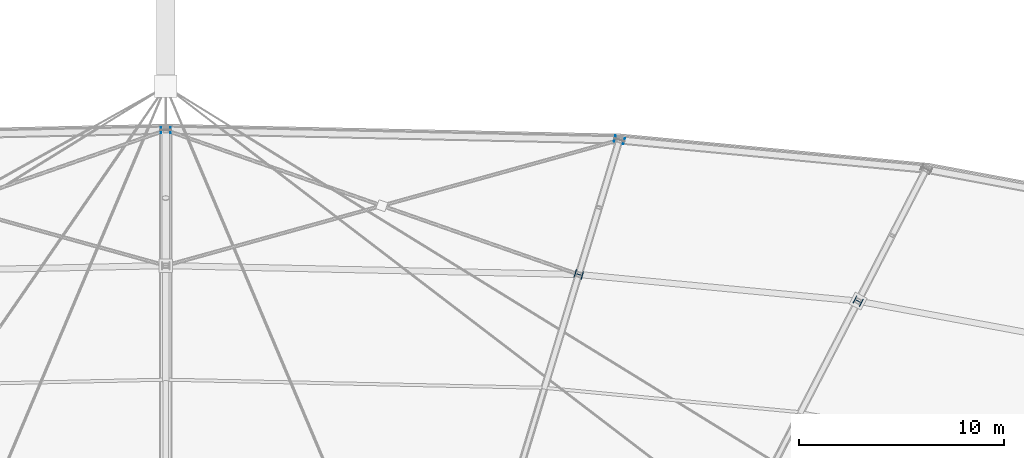
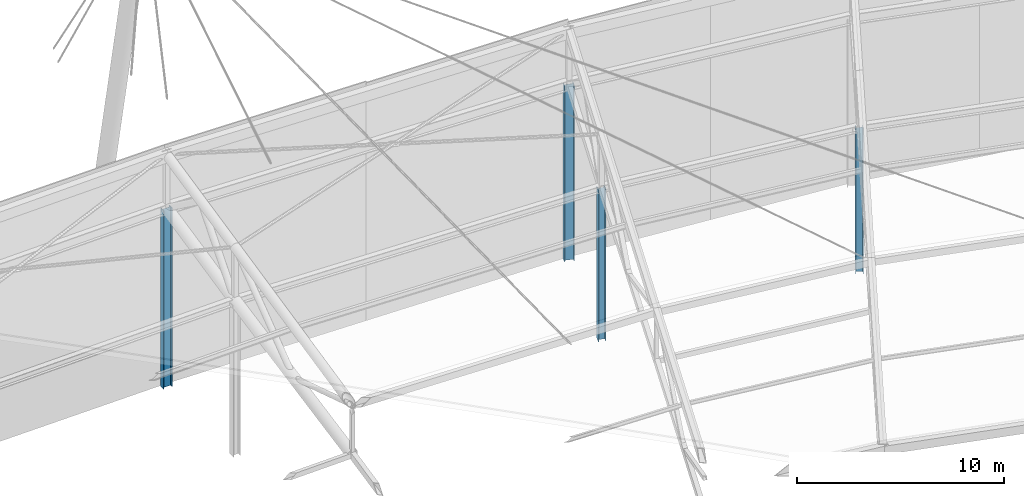
# One storey, part 12 of 143: 4 columns.
"""IFC4 building model written with IfcOpenShell, lengths in metres."""

from ifc_helpers import new_model, si_unit, direction, frame, origin, origin_2d, place, context, subcontext, project, spatial, i_section, extrude, material, material_profile, profile_set, type_object, element, save


model = new_model("IFC4")

# Units and contexts
model_context = context("Model", 3, precision=1e-05, world=origin(), true_north=direction((0.0, 1.0)))
body_context = subcontext(model_context, "Body", "Model", "MODEL_VIEW")
ifc_project = project(units=[si_unit("LENGTHUNIT", "METRE"), si_unit("AREAUNIT", "SQUARE_METRE"), si_unit("VOLUMEUNIT", "CUBIC_METRE"), si_unit("PLANEANGLEUNIT", "RADIAN"), si_unit("MASSUNIT", "GRAM", prefix="KILO")], contexts=[model_context])

# Site, building, storey
site_placement = place(None, origin())
site = spatial("IfcSite", under=ifc_project, at=site_placement, CompositionType="ELEMENT")
building_placement = place(site_placement, origin())
building = spatial("IfcBuilding", under=site, at=building_placement, Name="Mphavela Belvedere Stadium", CompositionType="ELEMENT")
storey_placement = place(building_placement, frame((0.0, 0.0, 28.800048828125)))
storey = spatial("IfcBuildingStorey", under=building, at=storey_placement, Name="RF", CompositionType="ELEMENT", Elevation=28.800048828125)

# Columns
ifc_material_1 = material(Name="Steel S355", Category="steel")
ifc_material_profile_1 = material_profile(ifc_material_1, i_section(OverallWidth=0.39501953125, OverallDepth=0.3798828125, WebThickness=0.0166015625, FlangeThickness=0.02587890625, at=origin_2d()), Name="HD 400x237")
ifc_profile_set_1 = profile_set([ifc_material_profile_1], Name="Steel S355")
column_type_1 = type_object("IfcColumnType", Name="COL-STEEL-HD400", PredefinedType="COLUMN", material=ifc_profile_set_1)
column_1_placement = place(storey_placement, frame((148.750244140625, 152.33544921875, 0.0), z_axis=(0.0, 0.0, 1.0), x_axis=(0.458959712465, 0.888457079624, 0.0)))
element("IfcColumn", 1, at=column_1_placement, inside=storey, type_object=column_type_1, Name="Roof truss inner support column RF R3-11", PredefinedType="COLUMN", context=body_context, shape_type="SweptSolid", body=[
    extrude(i_section(OverallWidth=0.39501953125, OverallDepth=0.3798828125, WebThickness=0.0166015625, FlangeThickness=0.02587890625, at=origin_2d()), origin(), (0.0, 0.0, 1.0), 8.485595703125),
])
column_2_placement = place(storey_placement, frame((135.1328125, 153.634033203125, 0.0), z_axis=(0.0, 0.0, 1.0), x_axis=(0.289198876314, 0.957269037387, 0.0)))
element("IfcColumn", 2, at=column_2_placement, inside=storey, type_object=column_type_1, Name="Roof truss inner support column RF R3-12", PredefinedType="COLUMN", context=body_context, shape_type="SweptSolid", body=[
    extrude(i_section(OverallWidth=0.39501953125, OverallDepth=0.3798828125, WebThickness=0.0166015625, FlangeThickness=0.02587890625, at=origin_2d()), origin(), (0.0, 0.0, 1.0), 8.922119140625),
])
ifc_material_2 = material(Name="Steel S355", Category="steel")
ifc_material_profile_2 = material_profile(ifc_material_2, i_section(OverallWidth=0.300048828125, OverallDepth=0.5, WebThickness=0.014404296875, FlangeThickness=0.028076171875, at=origin_2d()), Name="HEB 500")
ifc_profile_set_2 = profile_set([ifc_material_profile_2], Name="Steel S355")
column_type_2 = type_object("IfcColumnType", Name="COL-STEEL-HEB500", PredefinedType="COLUMN", material=ifc_profile_set_2)
column_3_placement = place(storey_placement, frame((137.114501953125, 160.19384765625, 0.0), z_axis=(0.0, 0.0, 1.0), x_axis=(0.289198876314, 0.957269037387, 0.0)))
element("IfcColumn", 3, at=column_3_placement, inside=storey, type_object=column_type_2, Name="Roof truss outer tie-down column RF R4-12", PredefinedType="COLUMN", context=body_context, shape_type="SweptSolid", body=[
    extrude(i_section(OverallWidth=0.300048828125, OverallDepth=0.5, WebThickness=0.014404296875, FlangeThickness=0.028076171875, at=origin_2d()), origin(), (0.0, 0.0, 1.0), 10.347412109375),
])
column_4_placement = place(storey_placement, frame((115.0, 160.669921875, 0.0), z_axis=(0.0, 0.0, 1.0), x_axis=(0.0, 1.0, 0.0)))
element("IfcColumn", 4, at=column_4_placement, inside=storey, type_object=column_type_2, Name="Roof truss outer tie-down column RF R4-13", PredefinedType="COLUMN", context=body_context, shape_type="SweptSolid", body=[
    extrude(i_section(OverallWidth=0.300048828125, OverallDepth=0.5, WebThickness=0.014404296875, FlangeThickness=0.028076171875, at=origin_2d()), origin(), (0.0, 0.0, 1.0), 10.510986328125),
])

save(model, "model.ifc")
